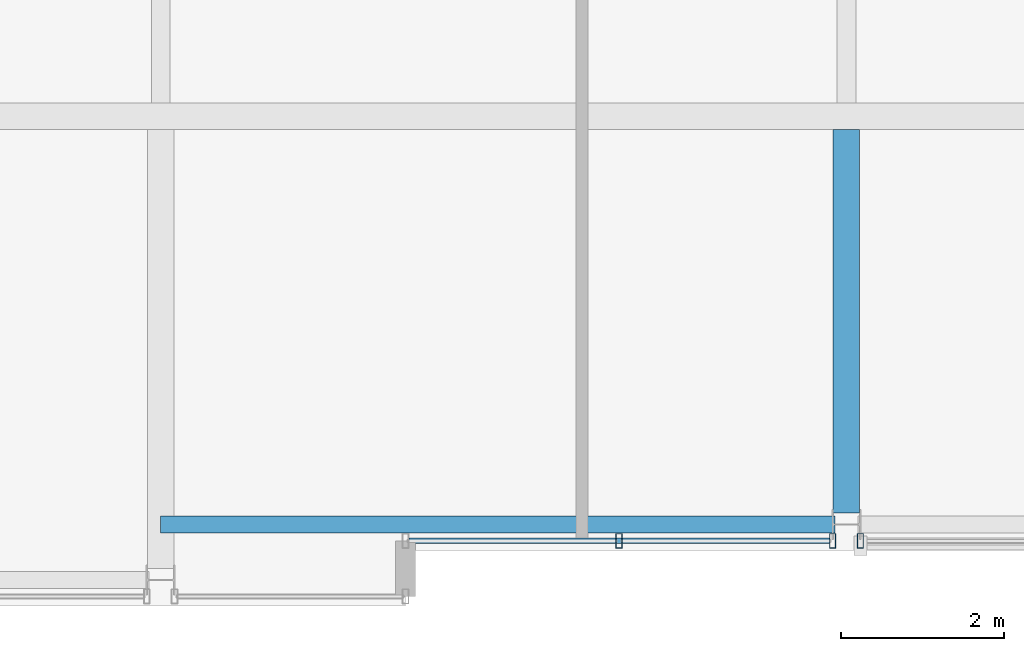
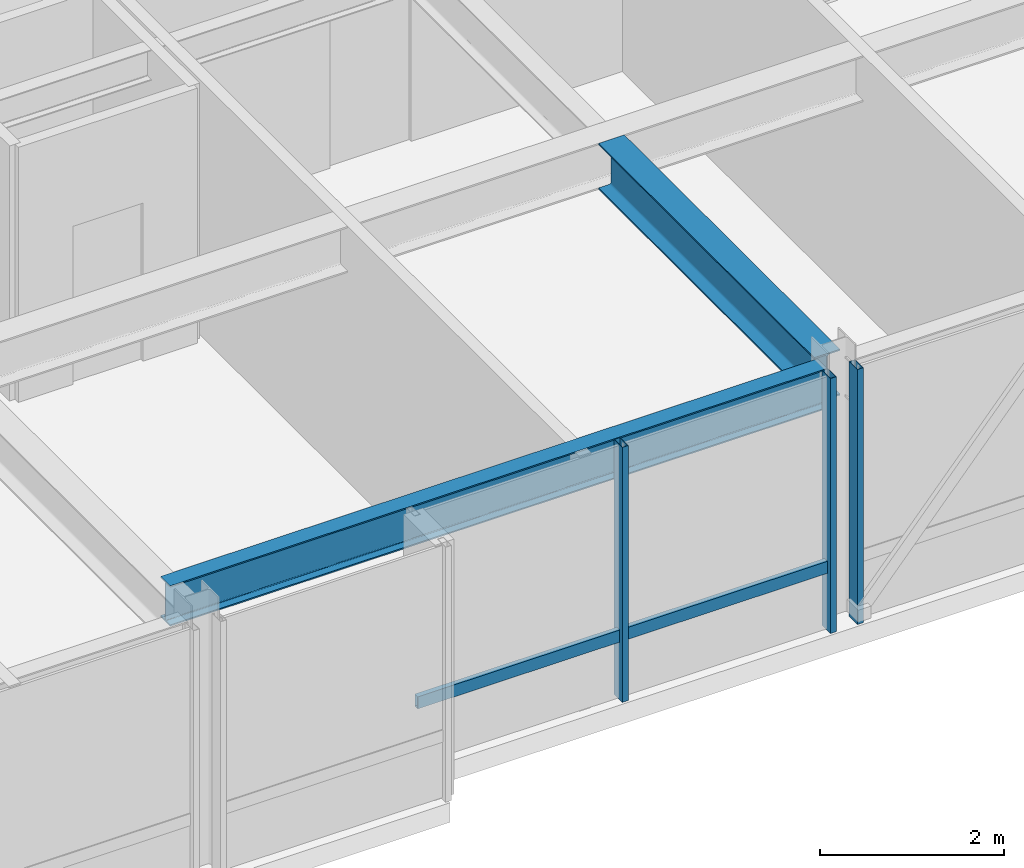
# One storey, part 8 of 34: 4 members, 2 beams, 2 elements without a shape of their own.
"""IFC4 building model written with IfcOpenShell, lengths in metres."""

from ifc_helpers import new_model, si_unit, direction, frame, origin, origin_2d, place, context, subcontext, project, spatial, hollow_rectangle, i_section, extrude, material, layer, layer_set, material_profile, profile_set, type_object, element, aggregate, save


model = new_model("IFC4")

# Units and contexts
model_context = context("Model", 3, precision=1e-05, world=origin(), true_north=direction((0.0, 1.0)))
body_context = subcontext(model_context, "Body", "Model", "MODEL_VIEW")
ifc_project = project(units=[si_unit("LENGTHUNIT", "METRE"), si_unit("AREAUNIT", "SQUARE_METRE"), si_unit("VOLUMEUNIT", "CUBIC_METRE"), si_unit("PLANEANGLEUNIT", "RADIAN"), si_unit("MASSUNIT", "GRAM", prefix="KILO")], contexts=[model_context])

# Site, building, storey
site_placement = place(None, origin())
site = spatial("IfcSite", under=ifc_project, at=site_placement, CompositionType="ELEMENT")
building_placement = place(site_placement, origin())
building = spatial("IfcBuilding", under=site, at=building_placement, Name="Drelvath Grand Hotel", CompositionType="ELEMENT")
storey_placement = place(building_placement, frame((0.0, 0.0, 272.300048828125)))
storey = spatial("IfcBuildingStorey", under=building, at=storey_placement, Name="L71", CompositionType="ELEMENT", Elevation=272.300048828125)

# Curtain wall, members
ifc_material_1 = material(Name="Platinum-Mist Anodised Aluminium Frame", Category="aluminium")
ifc_layer = layer(ifc_material_1, 0.199951171875)
ifc_layer_set = layer_set([ifc_layer], Name="Platinum-Mist Anodised Aluminium Frame")
curtain_wall_type = type_object("IfcCurtainWallType", Name="Stick Curtain Wall CW-05 Platinum Mist High-Rise", PredefinedType="NOTDEFINED", material=ifc_layer_set)
curtain_wall_1_placement = place(storey_placement, origin())
curtain_wall_1 = element("IfcCurtainWall", 1, at=curtain_wall_1_placement, inside=storey, type_object=curtain_wall_type, Name="L71 CW-05 Curtain Wall CW05-L71-SM1", PredefinedType="NOTDEFINED")
ifc_material_profile_1 = material_profile(ifc_material_1, hollow_rectangle(XDim=0.06494140625, YDim=0.159912109375, WallThickness=0.00390625, at=origin_2d()), Name="HSS160X65X4")
ifc_profile_set_1 = profile_set([ifc_material_profile_1], Name="Platinum-Mist Anodised Aluminium Frame")
member_type_1 = type_object("IfcMemberType", Name="Curtain Wall Horizontal Transom CW-05 HSS160X65X4", PredefinedType="USERDEFINED", material=ifc_profile_set_1)
member_1_placement = place(storey_placement, frame((-0.210205078125, 5.60009765625, 0.847412109375), z_axis=(-1.0, 0.0, 0.0), x_axis=(0.0, -1.0, 0.0)))
member_1 = element("IfcMember", 2, at=member_1_placement, type_object=member_type_1, Name="CW05-L71-SM1 Sill Transom", ObjectType="TRANSOM", PredefinedType="USERDEFINED", context=body_context, shape_type="SweptSolid", body=[
    extrude(hollow_rectangle(XDim=0.06494140625, YDim=0.159912109375, WallThickness=0.00390625, at=origin_2d()), origin(), (0.0, 0.0, 1.0), 5.14990234375),
])
ifc_material_profile_2 = material_profile(ifc_material_1, hollow_rectangle(XDim=0.074951171875, YDim=0.179931640625, WallThickness=0.0048828125, at=origin_2d()), Name="HSS180X75X5")
ifc_profile_set_2 = profile_set([ifc_material_profile_2], Name="Platinum-Mist Anodised Aluminium Frame")
member_type_2 = type_object("IfcMemberType", Name="Curtain Wall Vertical Mullion CW-05 HSS180X75X5", PredefinedType="MULLION", material=ifc_profile_set_2)
member_2_placement = place(storey_placement, frame((-0.170166015625, 5.60009765625, 0.0), z_axis=(0.0, 0.0, 1.0), x_axis=(1.0, 0.0, 0.0)))
member_2 = element("IfcMember", 3, at=member_2_placement, type_object=member_type_2, Name="CW05-L71-SM1 Mullion 1", PredefinedType="MULLION", context=body_context, shape_type="SweptSolid", body=[
    extrude(hollow_rectangle(XDim=0.074951171875, YDim=0.179931640625, WallThickness=0.0048828125, at=origin_2d()), origin(), (0.0, 0.0, 1.0), 3.389892578125),
])
member_3_placement = place(storey_placement, frame((-2.78515625, 5.60009765625, 0.0), z_axis=(0.0, 0.0, 1.0), x_axis=(1.0, 0.0, 0.0)))
member_3 = element("IfcMember", 4, at=member_3_placement, type_object=member_type_2, Name="CW05-L71-SM1 Mullion 2", PredefinedType="MULLION", context=body_context, shape_type="SweptSolid", body=[
    extrude(hollow_rectangle(XDim=0.074951171875, YDim=0.179931640625, WallThickness=0.0048828125, at=origin_2d()), origin(), (0.0, 0.0, 1.0), 3.389892578125),
])
aggregate(curtain_wall_1, [member_2, member_3, member_1])

# Curtain wall, member
curtain_wall_2_placement = place(storey_placement, origin())
curtain_wall_2 = element("IfcCurtainWall", 5, at=curtain_wall_2_placement, inside=storey, type_object=curtain_wall_type, Name="L71 CW-05 Curtain Wall CW05-L71-SM2", PredefinedType="NOTDEFINED")
member_4_placement = place(storey_placement, frame((0.170166015625, 5.60009765625, 0.0), z_axis=(0.0, 0.0, 1.0), x_axis=(1.0, 0.0, 0.0)))
member_4 = element("IfcMember", 6, at=member_4_placement, type_object=member_type_2, Name="CW05-L71-SM2 Mullion 3", PredefinedType="MULLION", context=body_context, shape_type="SweptSolid", body=[
    extrude(hollow_rectangle(XDim=0.074951171875, YDim=0.179931640625, WallThickness=0.0048828125, at=origin_2d()), origin(), (0.0, 0.0, 1.0), 3.389892578125),
])
aggregate(curtain_wall_2, [member_4])

# Beams
ifc_material_2 = material(Name="Steel ASTM A992 Gr 50", Category="steel")
ifc_material_profile_3 = material_profile(ifc_material_2, i_section(OverallWidth=0.210205078125, OverallDepth=0.53662109375, WebThickness=0.010986328125, FlangeThickness=0.017333984375, FilletRadius=0.01806640625, at=origin_2d()), Name="W21X68")
ifc_profile_set_3 = profile_set([ifc_material_profile_3], Name="Steel ASTM A992 Gr 50")
beam_type_1 = type_object("IfcBeamType", Name="Perimeter Spandrel Beam W21X68", PredefinedType="SPANDREL", material=ifc_profile_set_3)
beam_1_placement = place(storey_placement, frame((-8.39990234375, 5.800048828125, 3.12158203125), z_axis=(1.0, 0.0, 0.0), x_axis=(0.0, 1.0, 0.0)))
element("IfcBeam", 7, at=beam_1_placement, inside=storey, type_object=beam_type_1, Name="L71 Spandrel South Mid W", PredefinedType="SPANDREL", context=body_context, shape_type="SweptSolid", body=[
    extrude(i_section(OverallWidth=0.210205078125, OverallDepth=0.53662109375, WebThickness=0.010986328125, FlangeThickness=0.017333984375, FilletRadius=0.01806640625, at=origin_2d()), origin(), (0.0, 0.0, 1.0), 8.260009765625),
])
ifc_material_profile_4 = material_profile(ifc_material_2, i_section(OverallWidth=0.323974609375, OverallDepth=0.611083984375, WebThickness=0.0126953125, FlangeThickness=0.01904296875, FilletRadius=0.02197265625, at=origin_2d()), Name="W24X104")
ifc_profile_set_4 = profile_set([ifc_material_profile_4], Name="Steel ASTM A992 Gr 50")
beam_type_2 = type_object("IfcBeamType", Name="Primary Floor Girder W24X104", PredefinedType="BEAM", material=ifc_profile_set_4)
beam_2_placement = place(storey_placement, frame((0.0, 5.93994140625, 3.08447265625), z_axis=(0.0, 1.0, 0.0), x_axis=(-1.0, 0.0, 0.0)))
element("IfcBeam", 8, at=beam_2_placement, inside=storey, type_object=beam_type_2, Name="L71 South Wing Girder 5", PredefinedType="BEAM", context=body_context, shape_type="SweptSolid", body=[
    extrude(i_section(OverallWidth=0.323974609375, OverallDepth=0.611083984375, WebThickness=0.0126953125, FlangeThickness=0.01904296875, FilletRadius=0.02197265625, at=origin_2d()), origin(), (0.0, 0.0, 1.0), 4.697998046875),
])

save(model, "model.ifc")
